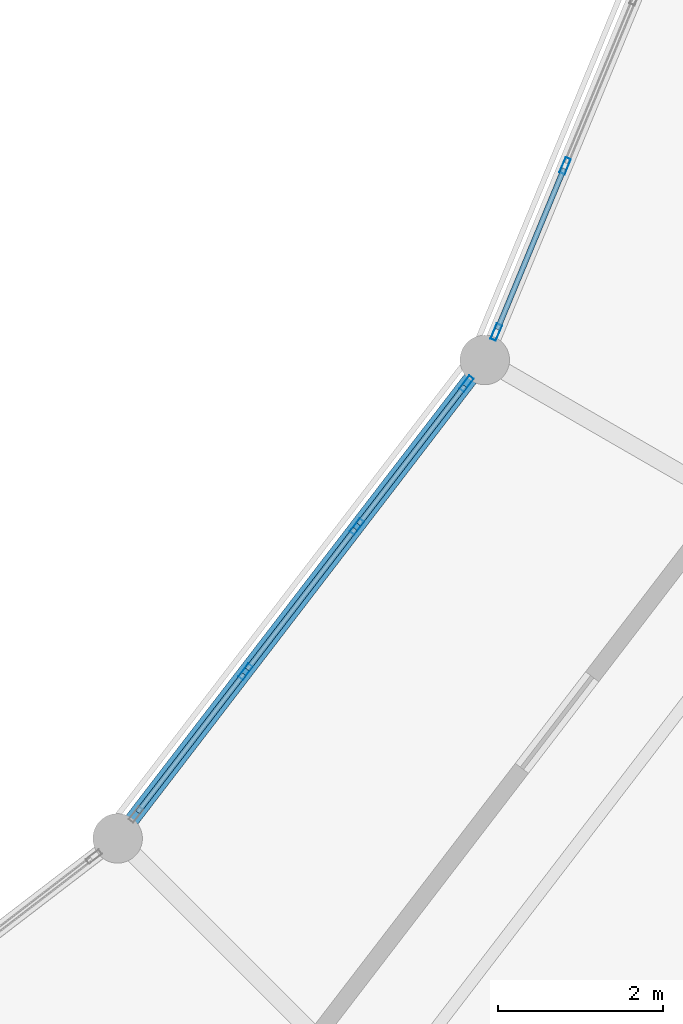
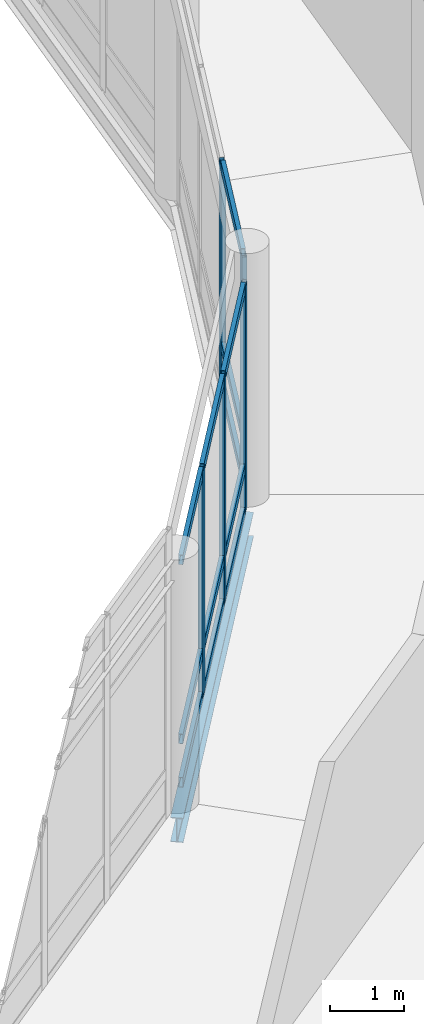
# One storey, part 46 of 170: 17 members, 1 beam, 2 elements without a shape of their own.
"""IFC4 building model written with IfcOpenShell, lengths in metres."""

from ifc_helpers import new_model, si_unit, direction, frame, origin, origin_2d, place, context, subcontext, project, spatial, hollow_rectangle, i_section, extrude, material, material_profile, profile_set, type_object, element, aggregate, save


model = new_model("IFC4")

# Units and contexts
model_context = context("Model", 3, precision=1e-05, world=origin(), true_north=direction((0.0, 1.0)))
body_context = subcontext(model_context, "Body", "Model", "MODEL_VIEW")
ifc_project = project(units=[si_unit("LENGTHUNIT", "METRE"), si_unit("AREAUNIT", "SQUARE_METRE"), si_unit("VOLUMEUNIT", "CUBIC_METRE"), si_unit("PLANEANGLEUNIT", "RADIAN"), si_unit("MASSUNIT", "GRAM", prefix="KILO")], contexts=[model_context])

# Site, building, storey
site_placement = place(None, origin())
site = spatial("IfcSite", under=ifc_project, at=site_placement, CompositionType="ELEMENT")
building_placement = place(site_placement, origin())
building = spatial("IfcBuilding", under=site, at=building_placement, Name="Vondelvale Polytechnic", CompositionType="ELEMENT")
storey_placement = place(building_placement, frame((0.0, 0.0, 5.39990234375)))
storey = spatial("IfcBuildingStorey", under=building, at=storey_placement, Name="L01", CompositionType="ELEMENT", Elevation=5.39990234375)

# Beam
ifc_material_1 = material(Name="Steel 300PLUS (fy = 300 MPa)", Category="steel")
ifc_material_profile_1 = material_profile(ifc_material_1, i_section(OverallWidth=0.177978515625, OverallDepth=0.406005859375, WebThickness=0.0078125, FlangeThickness=0.0126953125, FilletRadius=0.011474609375, at=origin_2d()), Name="410UB59.7")
ifc_profile_set_1 = profile_set([ifc_material_profile_1], Name="Steel 300PLUS (fy = 300 MPa)")
beam_type = type_object("IfcBeamType", Name="BM-UB410", PredefinedType="BEAM", material=ifc_profile_set_1)
beam_placement = place(storey_placement, frame((121.799072265625, 52.200927734375, -0.48291015625), z_axis=(0.608754744979, 0.793358469083, 0.0), x_axis=(-0.793358469083, 0.608754744979, 0.0)))
element("IfcBeam", 1, at=beam_placement, inside=storey, type_object=beam_type, Name="L01 RB B-14", PredefinedType="BEAM", context=body_context, shape_type="SweptSolid", body=[
    extrude(i_section(OverallWidth=0.177978515625, OverallDepth=0.406005859375, WebThickness=0.0078125, FlangeThickness=0.0126953125, FilletRadius=0.011474609375, at=origin_2d()), origin(), (0.0, 0.0, 1.0), 7.3095703125),
])

# Curtain wall, members
ifc_material_2 = material(Name="Anodised extruded aluminium 6063-T6", Category="aluminium")
curtain_wall_type = type_object("IfcCurtainWallType", Name="CW-RING-CLOISTER", PredefinedType="NOTDEFINED", material=ifc_material_2)
curtain_wall_1_placement = place(storey_placement, origin())
curtain_wall_1 = element("IfcCurtainWall", 2, at=curtain_wall_1_placement, inside=storey, type_object=curtain_wall_type, Name="L01 architectural curtain wall CW-03-351", PredefinedType="NOTDEFINED")
ifc_material_profile_2 = material_profile(ifc_material_2, hollow_rectangle(XDim=0.070068359375, YDim=0.199951171875, WallThickness=0.00390625, at=origin_2d()), Name="CW-MUL-200x70")
ifc_profile_set_2 = profile_set([ifc_material_profile_2], Name="Anodised extruded aluminium 6063-T6")
member_type_1 = type_object("IfcMemberType", Name="CW-MUL-70x200", PredefinedType="MULLION", material=ifc_profile_set_2)
member_1_placement = place(storey_placement, frame((123.348876953125, 54.220947265625, 0.0), z_axis=(0.0, 0.0, 1.0), x_axis=(-0.793363861089, 0.608747717793, 0.0)))
member_1 = element("IfcMember", 3, at=member_1_placement, type_object=member_type_1, Name="CW-03-351 mullion 2", PredefinedType="MULLION", context=body_context, shape_type="SweptSolid", body=[
    extrude(hollow_rectangle(XDim=0.070068359375, YDim=0.199951171875, WallThickness=0.00390625, at=origin_2d()), origin(), (0.0, 0.0, 1.0), 3.75),
])
member_2_placement = place(storey_placement, frame((124.69873046875, 55.97998046875, 0.0), z_axis=(0.0, 0.0, 1.0), x_axis=(-0.793363861089, 0.608747717793, 0.0)))
member_2 = element("IfcMember", 4, at=member_2_placement, type_object=member_type_1, Name="CW-03-351 mullion 3", PredefinedType="MULLION", context=body_context, shape_type="SweptSolid", body=[
    extrude(hollow_rectangle(XDim=0.070068359375, YDim=0.199951171875, WallThickness=0.00390625, at=origin_2d()), origin(), (0.0, 0.0, 1.0), 3.75),
])
member_3_placement = place(storey_placement, frame((126.02734375, 57.71142578125, 0.0), z_axis=(0.0, 0.0, 1.0), x_axis=(-0.793363861089, 0.608747717793, 0.0)))
member_3 = element("IfcMember", 5, at=member_3_placement, type_object=member_type_1, Name="CW-03-351 mullion 4", PredefinedType="MULLION", context=body_context, shape_type="SweptSolid", body=[
    extrude(hollow_rectangle(XDim=0.070068359375, YDim=0.199951171875, WallThickness=0.00390625, at=origin_2d()), origin(), (0.0, 0.0, 1.0), 3.75),
])

curtain_wall_2_placement = place(storey_placement, origin())
curtain_wall_2 = element("IfcCurtainWall", 6, at=curtain_wall_2_placement, inside=storey, type_object=curtain_wall_type, Name="L01 architectural curtain wall CW-03-362", PredefinedType="NOTDEFINED")
member_4_placement = place(storey_placement, frame((126.388427734375, 58.337158203125, 0.0), z_axis=(0.0, 0.0, 1.0), x_axis=(-0.923881562419, 0.382678531697, 0.0)))
member_4 = element("IfcMember", 7, at=member_4_placement, type_object=member_type_1, Name="CW-03-362 mullion 1", PredefinedType="MULLION", context=body_context, shape_type="SweptSolid", body=[
    extrude(hollow_rectangle(XDim=0.070068359375, YDim=0.199951171875, WallThickness=0.00390625, at=origin_2d()), origin(), (0.0, 0.0, 1.0), 3.75),
])
member_5_placement = place(storey_placement, frame((127.22314453125, 60.352783203125, 0.0), z_axis=(0.0, 0.0, 1.0), x_axis=(-0.923881562419, 0.382678531697, 0.0)))
member_5 = element("IfcMember", 8, at=member_5_placement, type_object=member_type_1, Name="CW-03-362 mullion 2", PredefinedType="MULLION", context=body_context, shape_type="SweptSolid", body=[
    extrude(hollow_rectangle(XDim=0.070068359375, YDim=0.199951171875, WallThickness=0.00390625, at=origin_2d()), origin(), (0.0, 0.0, 1.0), 3.75),
])

# Member
ifc_material_profile_3 = material_profile(ifc_material_2, hollow_rectangle(XDim=0.06494140625, YDim=0.159912109375, WallThickness=0.00341796875, at=origin_2d()), Name="CW-TRN-160x65")
ifc_profile_set_3 = profile_set([ifc_material_profile_3], Name="Anodised extruded aluminium 6063-T6")
member_type_2 = type_object("IfcMemberType", Name="CW-TRN-70x160", PredefinedType="USERDEFINED", material=ifc_profile_set_3)
member_6_placement = place(storey_placement, frame((122.041748046875, 52.517333984375, 0.03271484375), z_axis=(0.608766343448, 0.793349569285, 0.0), x_axis=(-0.793349569285, 0.608766343448, 0.0)))
member_6 = element("IfcMember", 9, at=member_6_placement, type_object=member_type_2, Name="CW-03-351 transom 1.1", ObjectType="TRANSOM", PredefinedType="USERDEFINED", context=body_context, shape_type="SweptSolid", body=[
    extrude(hollow_rectangle(XDim=0.06494140625, YDim=0.159912109375, WallThickness=0.00341796875, at=origin_2d()), origin(), (0.0, 0.0, 1.0), 2.1123046875),
])

member_7_placement = place(storey_placement, frame((122.041748046875, 52.517333984375, 0.75), z_axis=(0.608766343448, 0.793349569285, 0.0), x_axis=(-0.793349569285, 0.608766343448, 0.0)))
member_7 = element("IfcMember", 10, at=member_7_placement, type_object=member_type_2, Name="CW-03-351 transom 1.2", ObjectType="TRANSOM", PredefinedType="USERDEFINED", context=body_context, shape_type="SweptSolid", body=[
    extrude(hollow_rectangle(XDim=0.06494140625, YDim=0.159912109375, WallThickness=0.00341796875, at=origin_2d()), origin(), (0.0, 0.0, 1.0), 2.1123046875),
])

member_8_placement = place(storey_placement, frame((122.041748046875, 52.517333984375, 3.717529296875), z_axis=(0.608766343448, 0.793349569285, 0.0), x_axis=(-0.793349569285, 0.608766343448, 0.0)))
member_8 = element("IfcMember", 11, at=member_8_placement, type_object=member_type_2, Name="CW-03-351 transom 1.3", ObjectType="TRANSOM", PredefinedType="USERDEFINED", context=body_context, shape_type="SweptSolid", body=[
    extrude(hollow_rectangle(XDim=0.06494140625, YDim=0.159912109375, WallThickness=0.00341796875, at=origin_2d()), origin(), (0.0, 0.0, 1.0), 2.1123046875),
])

member_9_placement = place(storey_placement, frame((123.370361328125, 54.248779296875, 0.03271484375), z_axis=(0.608732251269, 0.793375728306, 0.0), x_axis=(-0.793375728306, 0.608732251269, 0.0)))
member_9 = element("IfcMember", 12, at=member_9_placement, type_object=member_type_2, Name="CW-03-351 transom 2.1", ObjectType="TRANSOM", PredefinedType="USERDEFINED", context=body_context, shape_type="SweptSolid", body=[
    extrude(hollow_rectangle(XDim=0.06494140625, YDim=0.159912109375, WallThickness=0.00341796875, at=origin_2d()), origin(), (0.0, 0.0, 1.0), 2.147216796875),
])

member_10_placement = place(storey_placement, frame((123.370361328125, 54.248779296875, 0.75), z_axis=(0.608732251269, 0.793375728306, 0.0), x_axis=(-0.793375728306, 0.608732251269, 0.0)))
member_10 = element("IfcMember", 13, at=member_10_placement, type_object=member_type_2, Name="CW-03-351 transom 2.2", ObjectType="TRANSOM", PredefinedType="USERDEFINED", context=body_context, shape_type="SweptSolid", body=[
    extrude(hollow_rectangle(XDim=0.06494140625, YDim=0.159912109375, WallThickness=0.00341796875, at=origin_2d()), origin(), (0.0, 0.0, 1.0), 2.147216796875),
])

member_11_placement = place(storey_placement, frame((123.370361328125, 54.248779296875, 3.717529296875), z_axis=(0.608732251269, 0.793375728306, 0.0), x_axis=(-0.793375728306, 0.608732251269, 0.0)))
member_11 = element("IfcMember", 14, at=member_11_placement, type_object=member_type_2, Name="CW-03-351 transom 2.3", ObjectType="TRANSOM", PredefinedType="USERDEFINED", context=body_context, shape_type="SweptSolid", body=[
    extrude(hollow_rectangle(XDim=0.06494140625, YDim=0.159912109375, WallThickness=0.00341796875, at=origin_2d()), origin(), (0.0, 0.0, 1.0), 2.147216796875),
])

member_12_placement = place(storey_placement, frame((124.719970703125, 56.0078125, 0.03271484375), z_axis=(0.608783266169, 0.793336583571, 0.0), x_axis=(-0.793336583571, 0.608783266169, 0.0)))
member_12 = element("IfcMember", 15, at=member_12_placement, type_object=member_type_2, Name="CW-03-351 transom 3.1", ObjectType="TRANSOM", PredefinedType="USERDEFINED", context=body_context, shape_type="SweptSolid", body=[
    extrude(hollow_rectangle(XDim=0.06494140625, YDim=0.159912109375, WallThickness=0.00341796875, at=origin_2d()), origin(), (0.0, 0.0, 1.0), 2.112548828125),
])

member_13_placement = place(storey_placement, frame((124.719970703125, 56.0078125, 0.75), z_axis=(0.608783266169, 0.793336583571, 0.0), x_axis=(-0.793336583571, 0.608783266169, 0.0)))
member_13 = element("IfcMember", 16, at=member_13_placement, type_object=member_type_2, Name="CW-03-351 transom 3.2", ObjectType="TRANSOM", PredefinedType="USERDEFINED", context=body_context, shape_type="SweptSolid", body=[
    extrude(hollow_rectangle(XDim=0.06494140625, YDim=0.159912109375, WallThickness=0.00341796875, at=origin_2d()), origin(), (0.0, 0.0, 1.0), 2.112548828125),
])

member_14_placement = place(storey_placement, frame((124.719970703125, 56.0078125, 3.717529296875), z_axis=(0.608783266169, 0.793336583571, 0.0), x_axis=(-0.793336583571, 0.608783266169, 0.0)))
member_14 = element("IfcMember", 17, at=member_14_placement, type_object=member_type_2, Name="CW-03-351 transom 3.3", ObjectType="TRANSOM", PredefinedType="USERDEFINED", context=body_context, shape_type="SweptSolid", body=[
    extrude(hollow_rectangle(XDim=0.06494140625, YDim=0.159912109375, WallThickness=0.00341796875, at=origin_2d()), origin(), (0.0, 0.0, 1.0), 2.112548828125),
])

aggregate(curtain_wall_1, [member_1, member_2, member_3, member_6, member_7, member_8, member_9, member_10, member_11, member_12, member_13, member_14])

member_15_placement = place(storey_placement, frame((126.40185546875, 58.36962890625, 0.03271484375), z_axis=(0.382627532503, 0.923902685011, 0.0), x_axis=(-0.923902685011, 0.382627532503, 0.0)))
member_15 = element("IfcMember", 18, at=member_15_placement, type_object=member_type_2, Name="CW-03-362 transom 1.1", ObjectType="TRANSOM", PredefinedType="USERDEFINED", context=body_context, shape_type="SweptSolid", body=[
    extrude(hollow_rectangle(XDim=0.06494140625, YDim=0.159912109375, WallThickness=0.00341796875, at=origin_2d()), origin(), (0.0, 0.0, 1.0), 2.111328125),
])

member_16_placement = place(storey_placement, frame((126.40185546875, 58.36962890625, 0.75), z_axis=(0.382627532503, 0.923902685011, 0.0), x_axis=(-0.923902685011, 0.382627532503, 0.0)))
member_16 = element("IfcMember", 19, at=member_16_placement, type_object=member_type_2, Name="CW-03-362 transom 1.2", ObjectType="TRANSOM", PredefinedType="USERDEFINED", context=body_context, shape_type="SweptSolid", body=[
    extrude(hollow_rectangle(XDim=0.06494140625, YDim=0.159912109375, WallThickness=0.00341796875, at=origin_2d()), origin(), (0.0, 0.0, 1.0), 2.111328125),
])

member_17_placement = place(storey_placement, frame((126.40185546875, 58.36962890625, 3.717529296875), z_axis=(0.382627532503, 0.923902685011, 0.0), x_axis=(-0.923902685011, 0.382627532503, 0.0)))
member_17 = element("IfcMember", 20, at=member_17_placement, type_object=member_type_2, Name="CW-03-362 transom 1.3", ObjectType="TRANSOM", PredefinedType="USERDEFINED", context=body_context, shape_type="SweptSolid", body=[
    extrude(hollow_rectangle(XDim=0.06494140625, YDim=0.159912109375, WallThickness=0.00341796875, at=origin_2d()), origin(), (0.0, 0.0, 1.0), 2.111328125),
])

aggregate(curtain_wall_2, [member_4, member_5, member_15, member_16, member_17])

save(model, "model.ifc")
